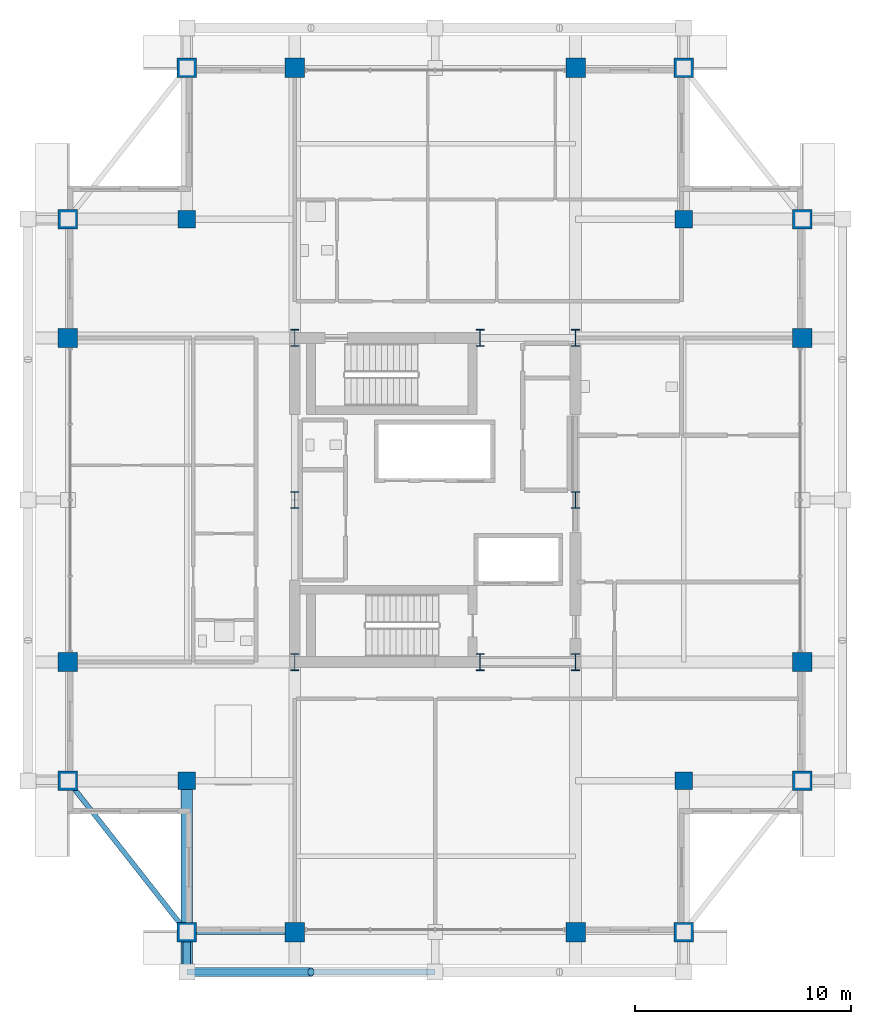
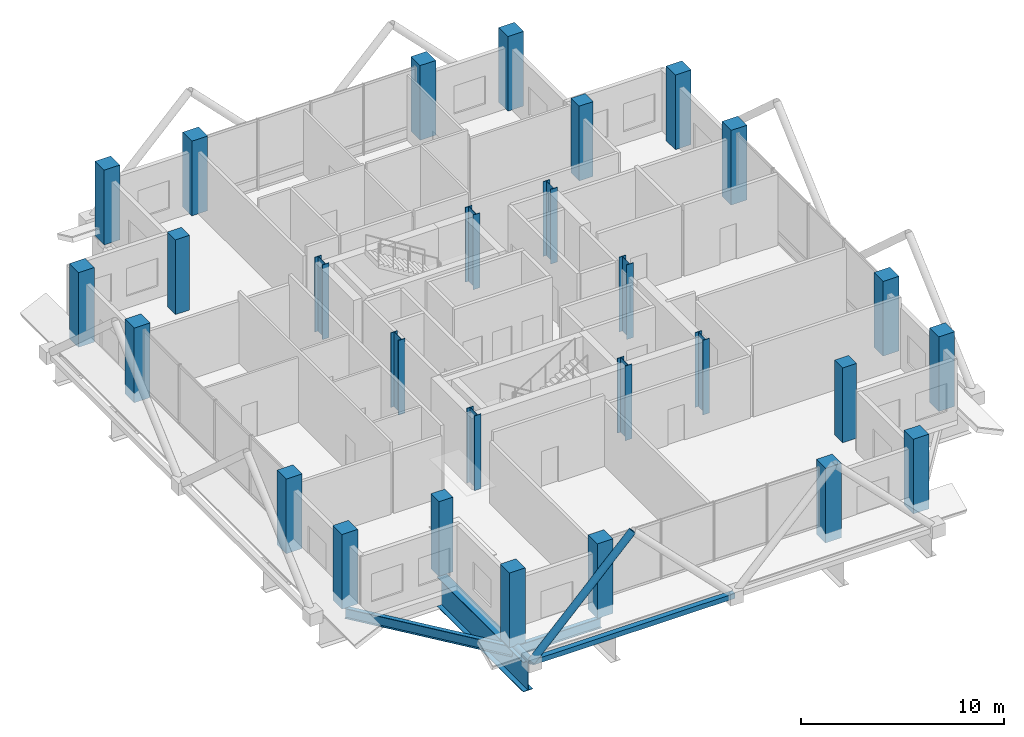
# One storey, part 1 of 27: 28 columns, 3 beams, 3 members.
"""IFC4 building model written with IfcOpenShell, lengths in metres."""

from ifc_helpers import new_model, si_unit, direction, frame, origin, origin_2d, place, context, subcontext, project, spatial, rectangle, hollow_rectangle, hollow_circle, i_section, extrude, material, material_profile, profile_set, type_object, element, save


model = new_model("IFC4")

# Units and contexts
model_context = context("Model", 3, precision=1e-05, world=origin(), true_north=direction((0.0, 1.0)))
body_context = subcontext(model_context, "Body", "Model", "MODEL_VIEW")
ifc_project = project(units=[si_unit("LENGTHUNIT", "METRE"), si_unit("AREAUNIT", "SQUARE_METRE"), si_unit("VOLUMEUNIT", "CUBIC_METRE"), si_unit("PLANEANGLEUNIT", "RADIAN"), si_unit("MASSUNIT", "GRAM", prefix="KILO")], contexts=[model_context])

# Site, building, storey
site_placement = place(None, origin())
site = spatial("IfcSite", under=ifc_project, at=site_placement, CompositionType="ELEMENT")
building_placement = place(site_placement, origin())
building = spatial("IfcBuilding", under=site, at=building_placement, Name="Barlavira Tower and Art Museum", CompositionType="ELEMENT")
storey_placement = place(building_placement, frame((0.0, 0.0, 217.800048828125)))
storey = spatial("IfcBuildingStorey", under=building, at=storey_placement, Name="L56", CompositionType="ELEMENT", Elevation=217.800048828125)

# Columns
ifc_material_1 = material(Name="Steel S355", Category="steel")
ifc_material_profile_1 = material_profile(ifc_material_1, i_section(OverallWidth=0.382080078125, OverallDepth=0.785888671875, WebThickness=0.02001953125, FlangeThickness=0.032958984375, at=origin_2d()), Name="W760x314.0")
ifc_profile_set_1 = profile_set([ifc_material_profile_1], Name="Steel S355")
column_type_1 = type_object("IfcColumnType", Name="Core Composite Column W760x314 Steel S355", PredefinedType="COLUMN", material=ifc_profile_set_1)
for number, where, z_axis, x_axis, name in (
    (1, (-6.5, -7.5, 0.0), (0.0, 0.0, 1.0), (1.0, 0.0, 0.0), "L56 Column CC-L56-C1"),
    (2, (2.080078125, -7.5, 0.0), (0.0, 0.0, 1.0), (1.0, 0.0, 0.0), "L56 Column CC-L56-C2"),
    (3, (6.5, -7.5, 0.0), (0.0, 0.0, 1.0), (1.0, 0.0, 0.0), "L56 Column CC-L56-C3"),
    (4, (-6.5, 0.0, 0.0), (0.0, 0.0, 1.0), (1.0, 0.0, 0.0), "L56 Column CC-L56-C4"),
    (5, (6.5, 0.0, 0.0), (0.0, 0.0, 1.0), (1.0, 0.0, 0.0), "L56 Column CC-L56-C5"),
    (6, (-6.5, 7.5, 0.0), (0.0, 0.0, 1.0), (1.0, 0.0, 0.0), "L56 Column CC-L56-C6"),
    (7, (2.080078125, 7.5, 0.0), (0.0, 0.0, 1.0), (1.0, 0.0, 0.0), "L56 Column CC-L56-C7"),
    (8, (6.5, 7.5, 0.0), (0.0, 0.0, 1.0), (1.0, 0.0, 0.0), "L56 Column CC-L56-C8"),
):
    element("IfcColumn", number, at=place(storey_placement, frame(where, z_axis=z_axis, x_axis=x_axis)), inside=storey, type_object=column_type_1, Name=name, PredefinedType="COLUMN", context=body_context, shape_type="SweptSolid", body=[
        extrude(i_section(OverallWidth=0.382080078125, OverallDepth=0.785888671875, WebThickness=0.02001953125, FlangeThickness=0.032958984375, at=origin_2d()), origin(), (0.0, 0.0, 1.0), 4.5),
    ])
ifc_material_2 = material(Name="Concrete C50", Category="concrete")
ifc_material_profile_2 = material_profile(ifc_material_2, rectangle(XDim=0.89990234375, YDim=0.89990234375, at=origin_2d()), Name="RC-COL 900x900")
ifc_profile_set_2 = profile_set([ifc_material_profile_2], Name="Concrete C50")
column_type_2 = type_object("IfcColumnType", Name="Perimeter Mega Column 900x900 Concrete C50", PredefinedType="USERDEFINED", material=ifc_profile_set_2)
for number, where, z_axis, x_axis, name in (
    (9, (-11.5, -20.0, 0.0), (0.0, 0.0, 1.0), (1.0, 0.0, 0.0), "L56 Column MC-L56-M01"),
    (10, (-6.5, -20.0, 0.0), (0.0, 0.0, 1.0), (1.0, 0.0, 0.0), "L56 Column MC-L56-M02"),
    (11, (6.5, -20.0, 0.0), (0.0, 0.0, 1.0), (1.0, 0.0, 0.0), "L56 Column MC-L56-M03"),
    (12, (11.5, -20.0, 0.0), (0.0, 0.0, 1.0), (1.0, 0.0, 0.0), "L56 Column MC-L56-M04"),
    (13, (17.0, -13.0, 0.0), (0.0, 0.0, 1.0), (1.0, 0.0, 0.0), "L56 Column MC-L56-M05"),
    (14, (17.0, -7.5, 0.0), (0.0, 0.0, 1.0), (1.0, 0.0, 0.0), "L56 Column MC-L56-M06"),
    (15, (17.0, 7.5, 0.0), (0.0, 0.0, 1.0), (1.0, 0.0, 0.0), "L56 Column MC-L56-M07"),
    (16, (17.0, 13.0, 0.0), (0.0, 0.0, 1.0), (1.0, 0.0, 0.0), "L56 Column MC-L56-M08"),
    (17, (11.5, 20.0, 0.0), (0.0, 0.0, 1.0), (1.0, 0.0, 0.0), "L56 Column MC-L56-M09"),
    (18, (6.5, 20.0, 0.0), (0.0, 0.0, 1.0), (1.0, 0.0, 0.0), "L56 Column MC-L56-M10"),
    (19, (-6.5, 20.0, 0.0), (0.0, 0.0, 1.0), (1.0, 0.0, 0.0), "L56 Column MC-L56-M11"),
    (20, (-11.5, 20.0, 0.0), (0.0, 0.0, 1.0), (1.0, 0.0, 0.0), "L56 Column MC-L56-M12"),
    (21, (-17.0, 13.0, 0.0), (0.0, 0.0, 1.0), (1.0, 0.0, 0.0), "L56 Column MC-L56-M13"),
    (22, (-17.0, 7.5, 0.0), (0.0, 0.0, 1.0), (1.0, 0.0, 0.0), "L56 Column MC-L56-M14"),
    (23, (-17.0, -7.5, 0.0), (0.0, 0.0, 1.0), (1.0, 0.0, 0.0), "L56 Column MC-L56-M15"),
    (24, (-17.0, -13.0, 0.0), (0.0, 0.0, 1.0), (1.0, 0.0, 0.0), "L56 Column MC-L56-M16"),
):
    element("IfcColumn", number, at=place(storey_placement, frame(where, z_axis=z_axis, x_axis=x_axis)), inside=storey, type_object=column_type_2, Name=name, ObjectType="MEGA COLUMN", PredefinedType="USERDEFINED", context=body_context, shape_type="SweptSolid", body=[
        extrude(rectangle(XDim=0.89990234375, YDim=0.89990234375, at=origin_2d()), origin(), (0.0, 0.0, 1.0), 4.5),
    ])
ifc_material_profile_3 = material_profile(ifc_material_2, rectangle(XDim=0.800048828125, YDim=0.800048828125, at=origin_2d()), Name="RC-COL 800x800")
ifc_profile_set_3 = profile_set([ifc_material_profile_3], Name="Concrete C50")
column_type_3 = type_object("IfcColumnType", Name="Podium Frame Column 800x800 Concrete C50", PredefinedType="COLUMN", material=ifc_profile_set_3)
for number, where, z_axis, x_axis, name in (
    (25, (-11.5, -13.0, 0.0), (0.0, 0.0, 1.0), (1.0, 0.0, 0.0), "L56 Column CI-L56-I1"),
    (26, (11.5, -13.0, 0.0), (0.0, 0.0, 1.0), (1.0, 0.0, 0.0), "L56 Column CI-L56-I2"),
    (27, (-11.5, 13.0, 0.0), (0.0, 0.0, 1.0), (1.0, 0.0, 0.0), "L56 Column CI-L56-I3"),
    (28, (11.5, 13.0, 0.0), (0.0, 0.0, 1.0), (1.0, 0.0, 0.0), "L56 Column CI-L56-I4"),
):
    element("IfcColumn", number, at=place(storey_placement, frame(where, z_axis=z_axis, x_axis=x_axis)), inside=storey, type_object=column_type_3, Name=name, PredefinedType="COLUMN", context=body_context, shape_type="SweptSolid", body=[
        extrude(rectangle(XDim=0.800048828125, YDim=0.800048828125, at=origin_2d()), origin(), (0.0, 0.0, 1.0), 4.5),
    ])

# Members
ifc_material_profile_4 = material_profile(ifc_material_1, hollow_circle(Radius=0.203125, WallThickness=0.01611328125, at=origin_2d()), Name="CHS 406.4x16.0")
ifc_profile_set_4 = profile_set([ifc_material_profile_4], Name="Steel S355")
member_type_1 = type_object("IfcMemberType", Name="Pale-Metal Exoskeleton Diagrid Tube CHS 406x16 Steel S355", PredefinedType="BRACE", material=ifc_profile_set_4)
member_1_placement = place(storey_placement, frame((-11.5, -21.85009765625, -0.1201171875), z_axis=(0.700979034508, 0.0, 0.713181879453), x_axis=(0.0, 1.0, 0.0)))
element("IfcMember", 29, at=member_1_placement, inside=storey, type_object=member_type_1, Name="L56 Exoskeleton Diagrid Tube S", PredefinedType="BRACE", context=body_context, shape_type="SweptSolid", body=[
    extrude(hollow_circle(Radius=0.203125, WallThickness=0.01611328125, at=origin_2d()), origin(), (0.0, 0.0, 1.0), 8.202880859375),
])
ifc_material_profile_5 = material_profile(ifc_material_1, hollow_circle(Radius=0.177734375, WallThickness=0.01611328125, at=origin_2d()), Name="CHS 355.6x16.0")
ifc_profile_set_5 = profile_set([ifc_material_profile_5], Name="Steel S355")
member_type_2 = type_object("IfcMemberType", Name="Pale-Metal Exoskeleton Tie Strut CHS 356x16 Steel S355", PredefinedType="STRUT", material=ifc_profile_set_5)
member_2_placement = place(storey_placement, frame((-11.5, -21.85009765625, -0.1201171875), z_axis=(0.0, 1.0, 0.0), x_axis=(-1.0, 0.0, 0.0)))
element("IfcMember", 30, at=member_2_placement, inside=storey, type_object=member_type_2, Name="L56 Exoskeleton Tie Strut S1", PredefinedType="STRUT", context=body_context, shape_type="SweptSolid", body=[
    extrude(hollow_circle(Radius=0.177734375, WallThickness=0.01611328125, at=origin_2d()), origin(), (0.0, 0.0, 1.0), 1.85009765625),
])
ifc_material_profile_6 = material_profile(ifc_material_1, hollow_rectangle(XDim=0.300048828125, YDim=0.300048828125, WallThickness=0.01611328125, at=origin_2d()), Name="SHS 300x300x16.0")
ifc_profile_set_6 = profile_set([ifc_material_profile_6], Name="Steel S355")
member_type_3 = type_object("IfcMemberType", Name="Pale-Metal Upper Ring Strut SHS 300x300x16 Steel S355", PredefinedType="STRUT", material=ifc_profile_set_6)
member_3_placement = place(storey_placement, frame((-11.5, -21.85009765625, -0.1201171875), z_axis=(1.0, 0.0, 0.0), x_axis=(0.0, 1.0, 0.0)))
element("IfcMember", 31, at=member_3_placement, inside=storey, type_object=member_type_3, Name="L56 Exoskeleton Ring Strut S", PredefinedType="STRUT", context=body_context, shape_type="SweptSolid", body=[
    extrude(hollow_rectangle(XDim=0.300048828125, YDim=0.300048828125, WallThickness=0.01611328125, at=origin_2d()), origin(), (0.0, 0.0, 1.0), 11.5),
])

# Beams
ifc_material_profile_7 = material_profile(ifc_material_1, i_section(OverallWidth=0.22998046875, OverallDepth=0.616943359375, WebThickness=0.01318359375, FlangeThickness=0.022216796875, at=origin_2d()), Name="W610x140.0")
ifc_profile_set_7 = profile_set([ifc_material_profile_7], Name="Steel S355")
beam_type_1 = type_object("IfcBeamType", Name="Upper Shaft Spandrel Edge Beam W610x140 Steel S355", PredefinedType="SPANDREL", material=ifc_profile_set_7)
beam_1_placement = place(storey_placement, frame((-11.5, -20.0, -0.608642578125), z_axis=(1.0, 0.0, 0.0), x_axis=(0.0, 1.0, 0.0)))
element("IfcBeam", 32, at=beam_1_placement, inside=storey, type_object=beam_type_1, Name="L56 Spandrel 1", PredefinedType="SPANDREL", context=body_context, shape_type="SweptSolid", body=[
    extrude(i_section(OverallWidth=0.22998046875, OverallDepth=0.616943359375, WebThickness=0.01318359375, FlangeThickness=0.022216796875, at=origin_2d()), origin(), (0.0, 0.0, 1.0), 5.0),
])
beam_2_placement = place(storey_placement, frame((-17.0, -13.0, -0.608642578125), z_axis=(0.617821551932, -0.786318338822, 0.0), x_axis=(0.786318338822, 0.617821551932, 0.0)))
element("IfcBeam", 33, at=beam_2_placement, inside=storey, type_object=beam_type_1, Name="L56 Spandrel 16", PredefinedType="SPANDREL", context=body_context, shape_type="SweptSolid", body=[
    extrude(i_section(OverallWidth=0.22998046875, OverallDepth=0.616943359375, WebThickness=0.01318359375, FlangeThickness=0.022216796875, at=origin_2d()), origin(), (0.0, 0.0, 1.0), 8.90234375),
])
ifc_material_profile_8 = material_profile(ifc_material_1, i_section(OverallWidth=0.550048828125, OverallDepth=1.800048828125, WebThickness=0.02587890625, FlangeThickness=0.033935546875, at=origin_2d()), Name="CVS1800x520")
ifc_profile_set_8 = profile_set([ifc_material_profile_8], Name="Steel S355")
beam_type_2 = type_object("IfcBeamType", Name="Zone Setback Transfer Girder CVS1800x520 Steel S355", PredefinedType="USERDEFINED", material=ifc_profile_set_8)
beam_3_placement = place(storey_placement, frame((-11.5, -21.5, -1.199951171875), z_axis=(0.0, 1.0, 0.0), x_axis=(-1.0, 0.0, 0.0)))
element("IfcBeam", 34, at=beam_3_placement, inside=storey, type_object=beam_type_2, Name="L56 Setback Transfer Girder TGL56-01", ObjectType="TRANSFER GIRDER", PredefinedType="USERDEFINED", context=body_context, shape_type="SweptSolid", body=[
    extrude(i_section(OverallWidth=0.550048828125, OverallDepth=1.800048828125, WebThickness=0.02587890625, FlangeThickness=0.033935546875, at=origin_2d()), origin(), (0.0, 0.0, 1.0), 8.5),
])

save(model, "model.ifc")
